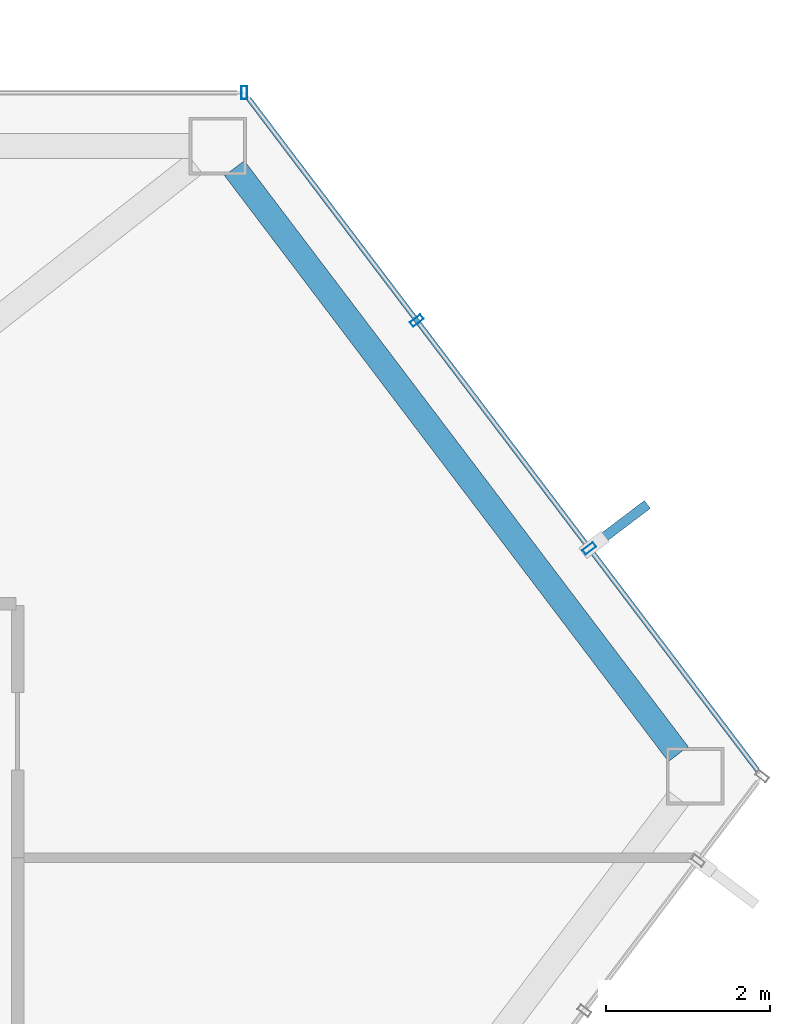
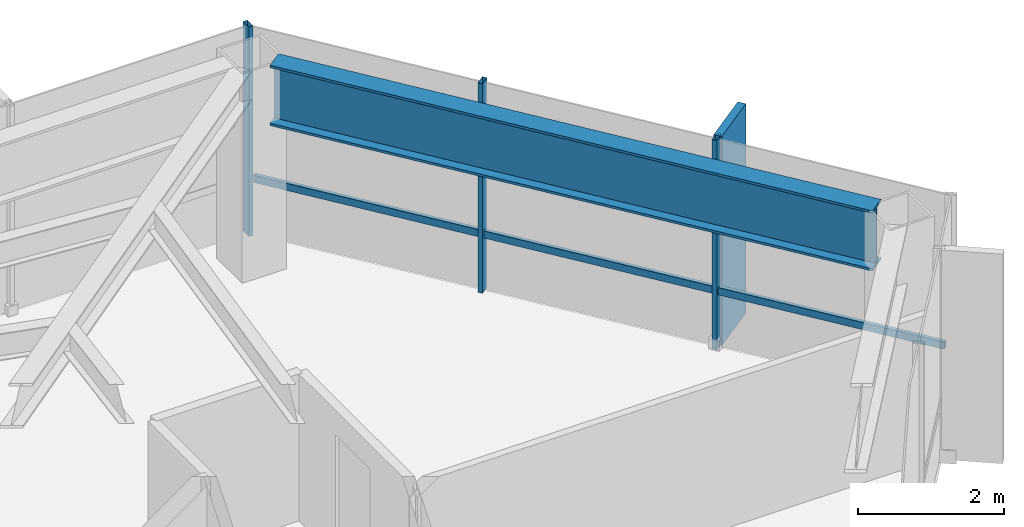
# One storey, part 22 of 27: 5 members, 1 beam, 2 elements without a shape of their own.
"""IFC4 building model written with IfcOpenShell, lengths in metres."""

from ifc_helpers import new_model, si_unit, direction, frame, origin, origin_2d, place, context, subcontext, project, spatial, rectangle, hollow_rectangle, i_section, extrude, material, layer, layer_set, material_profile, profile_set, type_object, element, aggregate, save


model = new_model("IFC4")

# Units and contexts
model_context = context("Model", 3, precision=1e-05, world=origin(), true_north=direction((0.0, 1.0)))
body_context = subcontext(model_context, "Body", "Model", "MODEL_VIEW")
ifc_project = project(units=[si_unit("LENGTHUNIT", "METRE"), si_unit("AREAUNIT", "SQUARE_METRE"), si_unit("VOLUMEUNIT", "CUBIC_METRE"), si_unit("PLANEANGLEUNIT", "RADIAN"), si_unit("MASSUNIT", "GRAM", prefix="KILO")], contexts=[model_context])

# Site, building, storey
site_placement = place(None, origin())
site = spatial("IfcSite", under=ifc_project, at=site_placement, CompositionType="ELEMENT")
building_placement = place(site_placement, origin())
building = spatial("IfcBuilding", under=site, at=building_placement, Name="Zarrinselat Tower", CompositionType="ELEMENT")
storey_placement = place(building_placement, frame((0.0, 0.0, 179.52001953125)))
storey = spatial("IfcBuildingStorey", under=building, at=storey_placement, Name="L44", CompositionType="ELEMENT", Elevation=179.52001953125)

# Beam
ifc_material_1 = material(Name="Steel S460M", Category="steel")
ifc_material_profile_1 = material_profile(ifc_material_1, i_section(OverallWidth=0.302001953125, OverallDepth=1.008056640625, WebThickness=0.02099609375, FlangeThickness=0.0400390625, at=origin_2d()), Name="HEM 1000")
ifc_profile_set_1 = profile_set([ifc_material_profile_1], Name="Steel S460M")
beam_type = type_object("IfcBeamType", Name="BM-HEM1000", PredefinedType="BEAM", material=ifc_profile_set_1)
beam_placement = place(storey_placement, frame((56.639892578125, 47.802734375, 2.99609375), z_axis=(0.603859788678, -0.797090556724, 0.0), x_axis=(0.797090556724, 0.603859788678, 0.0)))
element("IfcBeam", 1, at=beam_placement, inside=storey, type_object=beam_type, Name="L44 Perimeter Spandrel Girder SP15", PredefinedType="BEAM", context=body_context, shape_type="SweptSolid", body=[
    extrude(i_section(OverallWidth=0.302001953125, OverallDepth=1.008056640625, WebThickness=0.02099609375, FlangeThickness=0.0400390625, at=origin_2d()), origin(), (0.0, 0.0, 1.0), 8.950439453125),
])

# Curtain wall, member
ifc_material_2 = material(Name="Extruded Aluminium Alloy EN AW-6063 T6", Category="aluminium")
ifc_layer = layer(ifc_material_2, 0.175048828125)
ifc_layer_set = layer_set([ifc_layer], Name="Extruded Aluminium Alloy EN AW-6063 T6")
curtain_wall_type = type_object("IfcCurtainWallType", Name="CWS-HTL", PredefinedType="NOTDEFINED", material=ifc_layer_set)
curtain_wall_1_placement = place(storey_placement, origin())
curtain_wall_1 = element("IfcCurtainWall", 2, at=curtain_wall_1_placement, inside=storey, type_object=curtain_wall_type, Name="L44 Unitised Curtain Wall CW-L44-E01", PredefinedType="NOTDEFINED")
ifc_material_3 = material(Name="Extruded Aluminium Alloy EN AW-6063 T6", Category="aluminium")
ifc_material_profile_2 = material_profile(ifc_material_3, hollow_rectangle(XDim=0.070068359375, YDim=0.159912109375, WallThickness=0.00390625, at=origin_2d()), Name="RHS 160x70x4")
ifc_profile_set_2 = profile_set([ifc_material_profile_2], Name="Extruded Aluminium Alloy EN AW-6063 T6")
member_type_1 = type_object("IfcMemberType", Name="MEM-CW-MUL2", PredefinedType="MULLION", material=ifc_profile_set_2)
member_1_placement = place(storey_placement, frame((56.7587890625, 48.72216796875, 0.0), z_axis=(0.0, 0.0, 1.0), x_axis=(-1.0, 0.0, 0.0)))
member_1 = element("IfcMember", 3, at=member_1_placement, type_object=member_type_1, Name="CW-L44-E01 Mullion 0", PredefinedType="MULLION", context=body_context, shape_type="SweptSolid", body=[
    extrude(hollow_rectangle(XDim=0.070068359375, YDim=0.159912109375, WallThickness=0.00390625, at=origin_2d()), origin(), (0.0, 0.0, 1.0), 3.5),
])
aggregate(curtain_wall_1, [member_1])

# Curtain wall, members
curtain_wall_2_placement = place(storey_placement, origin())
curtain_wall_2 = element("IfcCurtainWall", 4, at=curtain_wall_2_placement, inside=storey, type_object=curtain_wall_type, Name="L44 Unitised Curtain Wall CW-L44-E06", PredefinedType="NOTDEFINED")
member_2_placement = place(storey_placement, frame((60.96240234375, 43.17333984375, 0.0), z_axis=(0.0, 0.0, 1.0), x_axis=(-0.603860453729, 0.797090052893, 0.0)))
member_2 = element("IfcMember", 5, at=member_2_placement, type_object=member_type_1, Name="CW-L44-E06 Mullion 1", PredefinedType="MULLION", context=body_context, shape_type="SweptSolid", body=[
    extrude(hollow_rectangle(XDim=0.070068359375, YDim=0.159912109375, WallThickness=0.00390625, at=origin_2d()), origin(), (0.0, 0.0, 1.0), 3.5),
])
member_3_placement = place(storey_placement, frame((58.860595703125, 45.94775390625, 0.0), z_axis=(0.0, 0.0, 1.0), x_axis=(-0.603860453729, 0.797090052893, 0.0)))
member_3 = element("IfcMember", 6, at=member_3_placement, type_object=member_type_1, Name="CW-L44-E06 Mullion 2", PredefinedType="MULLION", context=body_context, shape_type="SweptSolid", body=[
    extrude(hollow_rectangle(XDim=0.070068359375, YDim=0.159912109375, WallThickness=0.00390625, at=origin_2d()), origin(), (0.0, 0.0, 1.0), 3.5),
])
ifc_material_4 = material(Name="Extruded Aluminium Alloy EN AW-6063 T6", Category="aluminium")
ifc_material_profile_3 = material_profile(ifc_material_4, hollow_rectangle(XDim=0.06005859375, YDim=0.1201171875, WallThickness=0.00390625, at=origin_2d()), Name="RHS 120x60x4")
ifc_profile_set_3 = profile_set([ifc_material_profile_3], Name="Extruded Aluminium Alloy EN AW-6063 T6")
member_type_2 = type_object("IfcMemberType", Name="MEM-CW-TRN2", PredefinedType="USERDEFINED", material=ifc_profile_set_3)
member_4_placement = place(storey_placement, frame((63.010009765625, 40.470703125, 0.949951171875), z_axis=(-0.603875551577, 0.797078614823, 0.0), x_axis=(-0.797078614823, -0.603875551577, 0.0)))
member_4 = element("IfcMember", 7, at=member_4_placement, type_object=member_type_2, Name="CW-L44-E06 Transom 1", ObjectType="TRANSOM", PredefinedType="USERDEFINED", context=body_context, shape_type="SweptSolid", body=[
    extrude(hollow_rectangle(XDim=0.06005859375, YDim=0.1201171875, WallThickness=0.00390625, at=origin_2d()), origin(), (0.0, 0.0, 1.0), 10.261962890625),
])
ifc_material_5 = material(Name="Honed Cream Travertine Stone", Category="masonry")
ifc_material_profile_4 = material_profile(ifc_material_5, rectangle(XDim=0.1201171875, YDim=0.85009765625, at=origin_2d()), Name="FIN 850x120")
ifc_profile_set_4 = profile_set([ifc_material_profile_4], Name="Honed Cream Travertine Stone")
member_type_3 = type_object("IfcMemberType", Name="MEM-STONE-FIN", PredefinedType="USERDEFINED", material=ifc_profile_set_4)
member_5_placement = place(storey_placement, frame((61.3291015625, 43.451171875, 0.0), z_axis=(0.0, 0.0, 1.0), x_axis=(0.603860453729, -0.797090052893, 0.0)))
member_5 = element("IfcMember", 8, at=member_5_placement, type_object=member_type_3, Name="L44 Stone Shading Fin CW-L44-E06-01", ObjectType="FIN", PredefinedType="USERDEFINED", context=body_context, shape_type="SweptSolid", body=[
    extrude(rectangle(XDim=0.1201171875, YDim=0.85009765625, at=origin_2d()), origin(), (0.0, 0.0, 1.0), 3.5),
])
aggregate(curtain_wall_2, [member_2, member_5, member_3, member_4])

save(model, "model.ifc")
